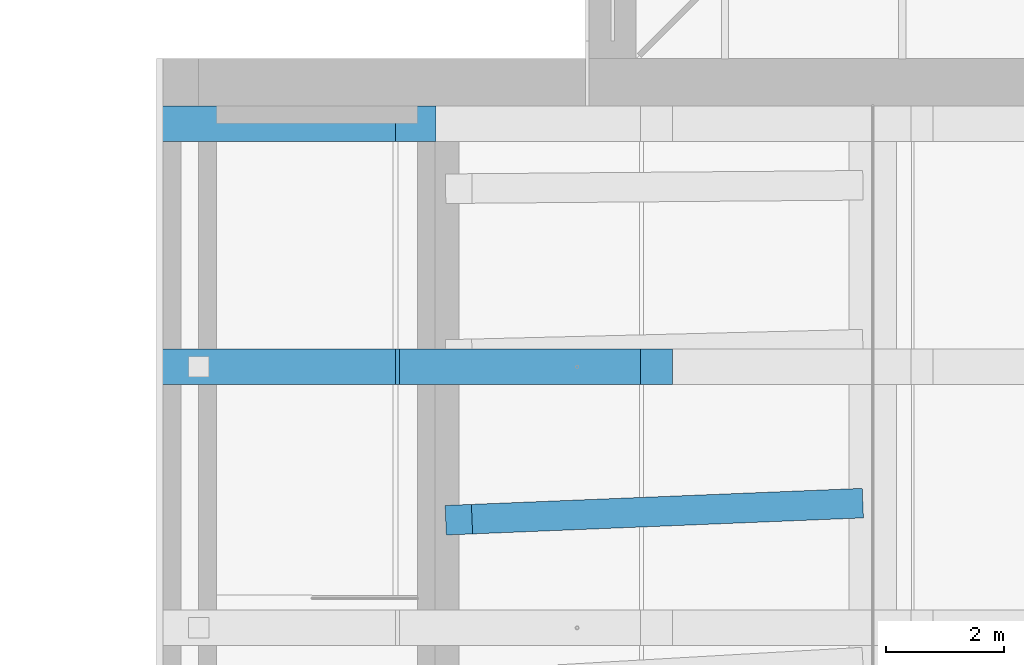
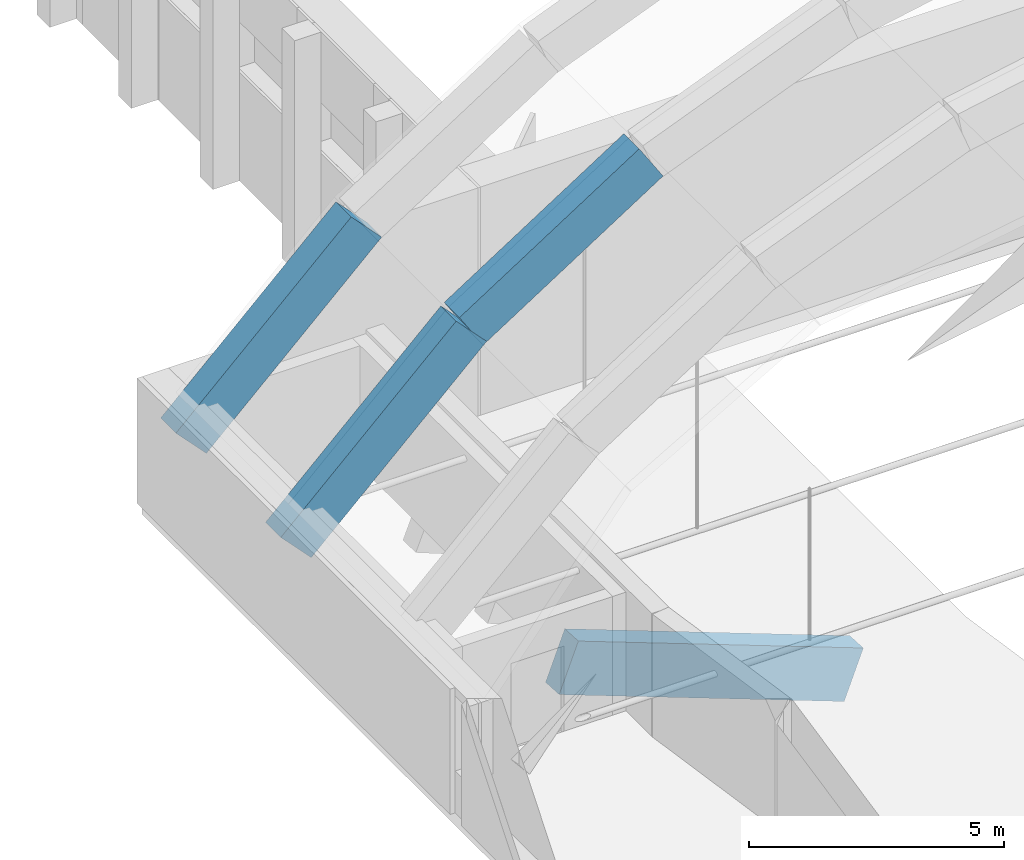
# One storey, part 26 of 94: 4 beams.
"""IFC4 building model written with IfcOpenShell, lengths in metres."""

from ifc_helpers import new_model, si_unit, direction, frame, origin, origin_2d, place, context, subcontext, project, spatial, rectangle, extrude, material, material_profile, profile_set, type_object, element, save


model = new_model("IFC4")

# Units and contexts
model_context = context("Model", 3, precision=1e-05, world=origin(), true_north=direction((0.0, 1.0)))
body_context = subcontext(model_context, "Body", "Model", "MODEL_VIEW")
ifc_project = project(units=[si_unit("LENGTHUNIT", "METRE"), si_unit("AREAUNIT", "SQUARE_METRE"), si_unit("VOLUMEUNIT", "CUBIC_METRE"), si_unit("PLANEANGLEUNIT", "RADIAN"), si_unit("MASSUNIT", "GRAM", prefix="KILO")], contexts=[model_context])

# Site, building, storey
site_placement = place(None, origin())
site = spatial("IfcSite", under=ifc_project, at=site_placement, CompositionType="ELEMENT")
building_placement = place(site_placement, origin())
building = spatial("IfcBuilding", under=site, at=building_placement, Name="Lunette Opera House", CompositionType="ELEMENT")
storey_placement = place(building_placement, frame((0.0, 0.0, 22.5)))
storey = spatial("IfcBuildingStorey", under=building, at=storey_placement, Name="L04", CompositionType="ELEMENT", Elevation=22.5)

# Beams
ifc_material_1 = material(Name="Concrete C40/50", Category="concrete")
ifc_material_profile_1 = material_profile(ifc_material_1, rectangle(XDim=0.60009765625, YDim=1.0, at=origin_2d()), Name="ARCH BEAM 600X1000")
ifc_profile_set_1 = profile_set([ifc_material_profile_1], Name="Concrete C40/50")
beam_type_1 = type_object("IfcBeamType", Name="ARCH BEAM 600X1000", PredefinedType="BEAM", material=ifc_profile_set_1)
beam_1_placement = place(storey_placement, frame((76.300048828125, 90.785888671875, 2.14501953125), z_axis=(0.723596948656, 0.0, 0.69022275817), x_axis=(0.0, 1.0, 0.0)))
element("IfcBeam", 1, at=beam_1_placement, inside=storey, type_object=beam_type_1, Name="beam-AU-L04-EA7-1", PredefinedType="BEAM", context=body_context, shape_type="SweptSolid", body=[
    extrude(rectangle(XDim=0.60009765625, YDim=1.0, at=origin_2d()), origin(), (0.0, 0.0, 1.0), 5.486328125),
])
beam_2_placement = place(storey_placement, frame((80.27001953125, 90.785888671875, 5.931884765625), z_axis=(0.84120306647, 0.0, 0.54071933659), x_axis=(0.0, 1.0, 0.0)))
element("IfcBeam", 2, at=beam_2_placement, inside=storey, type_object=beam_type_1, Name="beam-AU-L04-EA7-2", PredefinedType="BEAM", context=body_context, shape_type="SweptSolid", body=[
    extrude(rectangle(XDim=0.60009765625, YDim=1.0, at=origin_2d()), origin(), (0.0, 0.0, 1.0), 4.83837890625),
])
beam_3_placement = place(storey_placement, frame((76.300048828125, 94.89990234375, 2.14501953125), z_axis=(0.723596948656, 0.0, 0.69022275817), x_axis=(0.0, 1.0, 0.0)))
element("IfcBeam", 3, at=beam_3_placement, inside=storey, type_object=beam_type_1, Name="beam-AU-L04-EA8-1", PredefinedType="BEAM", context=body_context, shape_type="SweptSolid", body=[
    extrude(rectangle(XDim=0.60009765625, YDim=1.0, at=origin_2d()), origin(), (0.0, 0.0, 1.0), 5.486328125),
])
ifc_material_2 = material(Name="Concrete C35/45", Category="concrete")
ifc_material_profile_2 = material_profile(ifc_material_2, rectangle(XDim=0.5, YDim=1.199951171875, at=origin_2d()), Name="RAKER BEAM 500X1200")
ifc_profile_set_2 = profile_set([ifc_material_profile_2], Name="Concrete C35/45")
beam_type_2 = type_object("IfcBeamType", Name="RAKER BEAM 500X1200", PredefinedType="BEAM", material=ifc_profile_set_2)
beam_4_placement = place(storey_placement, frame((81.0, 88.199951171875, -0.845947265625), z_axis=(0.927804766489, 0.03803742533, -0.371121906595), x_axis=(-0.040962819772, 0.999160671462, 0.0)))
element("IfcBeam", 4, at=beam_4_placement, inside=storey, type_object=beam_type_2, Name="beam-AU-L04-RKT3-01-3", PredefinedType="BEAM", context=body_context, shape_type="SweptSolid", body=[
    extrude(rectangle(XDim=0.5, YDim=1.199951171875, at=origin_2d()), origin(), (0.0, 0.0, 1.0), 7.12451171875),
])

save(model, "model.ifc")
